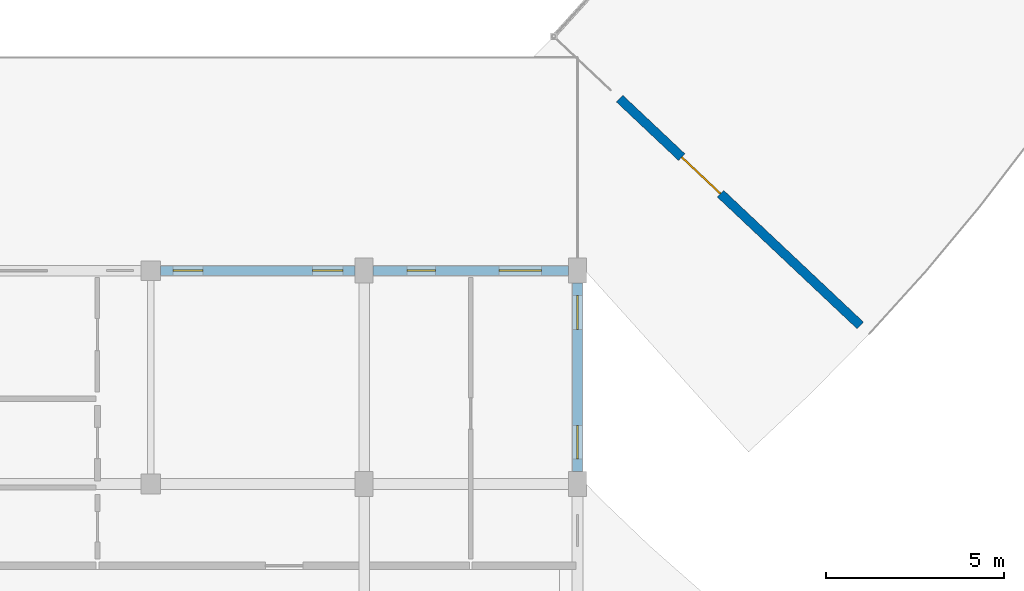
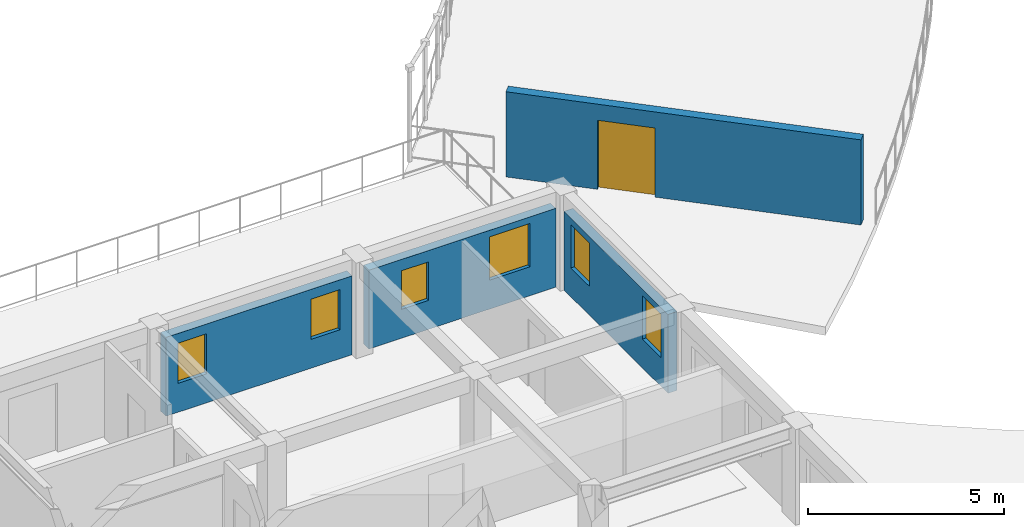
# One storey, part 29 of 58: 6 windows, 4 walls, 1 door, 7 openings.
"""IFC4 building model written with IfcOpenShell, lengths in metres."""

from ifc_helpers import new_model, si_unit, direction, frame, frame_2d, origin, place, context, subcontext, project, spatial, rectangle, extrude, material, layer, layer_set, type_object, element, fill, save


model = new_model("IFC4")

# Units and contexts
model_context = context("Model", 3, precision=1e-05, world=origin(), true_north=direction((0.0, 1.0)))
body_context = subcontext(model_context, "Body", "Model", "MODEL_VIEW")
ifc_project = project(units=[si_unit("LENGTHUNIT", "METRE"), si_unit("AREAUNIT", "SQUARE_METRE"), si_unit("VOLUMEUNIT", "CUBIC_METRE"), si_unit("PLANEANGLEUNIT", "RADIAN"), si_unit("MASSUNIT", "GRAM", prefix="KILO"), si_unit("POWERUNIT", "WATT"), si_unit("THERMODYNAMICTEMPERATUREUNIT", "KELVIN")], contexts=[model_context])

# Site, building, storey
site_placement = place(None, origin())
site = spatial("IfcSite", under=ifc_project, at=site_placement, CompositionType="ELEMENT")
building_placement = place(site_placement, origin())
building = spatial("IfcBuilding", under=site, at=building_placement, Name="Ruvembo Vaulted Housing Court", CompositionType="ELEMENT")
storey_placement = place(building_placement, frame((0.0, 0.0, 20.5)))
storey = spatial("IfcBuildingStorey", under=building, at=storey_placement, Name="L06", CompositionType="ELEMENT", Elevation=20.5)

# Wall, opening, door
ifc_material_1 = material(Name="Rendered Masonry 260", Category="masonry")
ifc_layer_1 = layer(ifc_material_1, 0.260009765625, Name="Rendered Masonry 260")
ifc_layer_set_1 = layer_set([ifc_layer_1], Name="Rendered Masonry 260")
wall_type_1 = type_object("IfcWallType", Name="WL-EXT-260", PredefinedType="STANDARD", material=ifc_layer_set_1)
wall_1_placement = place(storey_placement, frame((37.185302734375, 40.837890625, 0.0), z_axis=(0.0, 0.0, 1.0), x_axis=(0.727732778158, -0.685860775664, 0.0)))
wall_1 = element("IfcWall", 1, at=wall_1_placement, inside=storey, type_object=wall_type_1, Name="Scoop SC1 L06 Terrace Threshold Wall", PredefinedType="STANDARD", context=body_context, shape_type="SweptSolid", body=[
    extrude(rectangle(XDim=9.2998046875, YDim=0.260009765625, at=frame_2d((4.64990234375, 0.0))), origin(), (0.0, 0.0, 1.0), 2.64990234375),
])
opening_1_placement = place(wall_1_placement, frame((2.39990234375, 0.0, 0.0)))
opening_1 = element("IfcOpeningElement", 2, at=opening_1_placement, cuts=wall_1, Name="Opening TD1", PredefinedType="OPENING", context=body_context, shape_type="SweptSolid", body=[
    extrude(rectangle(XDim=1.5, YDim=2.14990234375, at=frame_2d((0.75, 1.074951171875))), frame((0.0, 0.139892578125, 0.0), z_axis=(0.0, -1.0, 0.0), x_axis=(1.0, 0.0, 0.0)), (0.0, 0.0, 1.0), 0.280029296875),
])
ifc_material_2 = material(Name="Thermally Broken Glazed Aluminium", Category="aluminium")
door_type = type_object("IfcDoorType", Name="DR-TER-1500x2150", OperationType="NOTDEFINED", PredefinedType="DOOR", material=ifc_material_2)
door_placement = place(opening_1_placement, origin())
door = element("IfcDoor", 3, at=door_placement, inside=storey, type_object=door_type, Name="Scoop SC1 L06 Roof Terrace Access Door", OperationType="SINGLE_SWING_RIGHT", OverallHeight=2.14990234375, OverallWidth=1.5, PredefinedType="DOOR", context=body_context, shape_type="SweptSolid", body=[
    extrude(rectangle(XDim=1.5, YDim=2.14990234375, at=frame_2d((0.75, 1.074951171875))), frame((0.0, 0.02490234375, 0.0), z_axis=(0.0, -1.0, 0.0), x_axis=(1.0, 0.0, 0.0)), (0.0, 0.0, 1.0), 0.050048828125),
])
fill(opening_1, door)

# Wall, openings, windows
ifc_material_3 = material(Name="Rendered Masonry 270", Category="masonry")
ifc_layer_2 = layer(ifc_material_3, 0.27001953125, Name="Rendered Masonry 270")
ifc_layer_set_2 = layer_set([ifc_layer_2], Name="Rendered Masonry 270")
wall_type_2 = type_object("IfcWallType", Name="WL-EXT-270", PredefinedType="STANDARD", material=ifc_layer_set_2)
wall_2_placement = place(storey_placement, frame((36.0, 30.35009765625, 0.0), z_axis=(0.0, 0.0, 1.0), x_axis=(0.0, 1.0, 0.0)))
wall_2 = element("IfcWall", 4, at=wall_2_placement, inside=storey, type_object=wall_type_2, Name="Block A L06 Exterior Wall EAST #5", PredefinedType="STANDARD", context=body_context, shape_type="SweptSolid", body=[
    extrude(rectangle(XDim=5.2998046875, YDim=0.27001953125, at=frame_2d((2.64990234375, 0.0))), origin(), (0.0, 0.0, 1.0), 2.451904296875),
])
opening_2_placement = place(wall_2_placement, frame((0.35009765625, 0.0, 0.89990234375)))
opening_2 = element("IfcOpeningElement", 5, at=opening_2_placement, cuts=wall_2, Name="Opening W07", PredefinedType="OPENING", context=body_context, shape_type="SweptSolid", body=[
    extrude(rectangle(XDim=0.949951171875, YDim=1.35009765625, at=frame_2d((0.47509765625, 0.675048828125))), frame((0.0, 0.14501953125, 0.0), z_axis=(0.0, -1.0, 0.0), x_axis=(1.0, 0.0, 0.0)), (0.0, 0.0, 1.0), 0.2900390625),
])
opening_3_placement = place(wall_2_placement, frame((4.0, 0.0, 0.89990234375)))
opening_3 = element("IfcOpeningElement", 6, at=opening_3_placement, cuts=wall_2, Name="Opening W07", PredefinedType="OPENING", context=body_context, shape_type="SweptSolid", body=[
    extrude(rectangle(XDim=0.949951171875, YDim=1.35009765625, at=frame_2d((0.47509765625, 0.675048828125))), frame((0.0, 0.14501953125, 0.0), z_axis=(0.0, -1.0, 0.0), x_axis=(1.0, 0.0, 0.0)), (0.0, 0.0, 1.0), 0.2900390625),
])
ifc_material_4 = material(Name="Double Solar-Control Glazing in Aluminium Frame", Category="aluminium")
window_type_1 = type_object("IfcWindowType", Name="WIN-0950x1350", PartitioningType="SINGLE_PANEL", PredefinedType="WINDOW", material=ifc_material_4)
window_1_placement = place(opening_2_placement, origin())
window_1 = element("IfcWindow", 7, at=window_1_placement, inside=storey, type_object=window_type_1, Name="Block A L06 Window #273", OverallHeight=1.35009765625, OverallWidth=0.949951171875, PartitioningType="SINGLE_PANEL", PredefinedType="WINDOW", context=body_context, shape_type="SweptSolid", body=[
    extrude(rectangle(XDim=0.949951171875, YDim=1.35009765625, at=frame_2d((0.47509765625, 0.675048828125))), frame((0.0, 0.030029296875, 0.0), z_axis=(0.0, -1.0, 0.0), x_axis=(1.0, 0.0, 0.0)), (0.0, 0.0, 1.0), 0.06005859375),
])
fill(opening_2, window_1)
window_2_placement = place(opening_3_placement, origin())
window_2 = element("IfcWindow", 8, at=window_2_placement, inside=storey, type_object=window_type_1, Name="Block A L06 Window #274", OverallHeight=1.35009765625, OverallWidth=0.949951171875, PartitioningType="SINGLE_PANEL", PredefinedType="WINDOW", context=body_context, shape_type="SweptSolid", body=[
    extrude(rectangle(XDim=0.949951171875, YDim=1.35009765625, at=frame_2d((0.47509765625, 0.675048828125))), frame((0.0, 0.030029296875, 0.0), z_axis=(0.0, -1.0, 0.0), x_axis=(1.0, 0.0, 0.0)), (0.0, 0.0, 1.0), 0.06005859375),
])
fill(opening_3, window_2)

wall_3_placement = place(storey_placement, frame((35.75, 36.0, 0.0), z_axis=(0.0, 0.0, 1.0), x_axis=(-1.0, 0.0, 0.0)))
wall_3 = element("IfcWall", 9, at=wall_3_placement, inside=storey, type_object=wall_type_2, Name="Block A L06 Exterior Wall COURTYARD #1", PredefinedType="STANDARD", context=body_context, shape_type="SweptSolid", body=[
    extrude(rectangle(XDim=5.5, YDim=0.27001953125, at=frame_2d((2.75, 0.0))), origin(), (0.0, 0.0, 1.0), 2.451904296875),
])
opening_4_placement = place(wall_3_placement, frame((0.7548828125, 0.0, 0.89990234375)))
opening_4 = element("IfcOpeningElement", 10, at=opening_4_placement, cuts=wall_3, Name="Opening W12", PredefinedType="OPENING", context=body_context, shape_type="SweptSolid", body=[
    extrude(rectangle(XDim=1.199951171875, YDim=1.35009765625, at=frame_2d((0.60009765625, 0.675048828125))), frame((0.0, 0.14501953125, 0.0), z_axis=(0.0, -1.0, 0.0), x_axis=(1.0, 0.0, 0.0)), (0.0, 0.0, 1.0), 0.2900390625),
])
opening_5_placement = place(wall_3_placement, frame((3.7451171875, 0.0, 0.89990234375)))
opening_5 = element("IfcOpeningElement", 11, at=opening_5_placement, cuts=wall_3, Name="Opening W02", PredefinedType="OPENING", context=body_context, shape_type="SweptSolid", body=[
    extrude(rectangle(XDim=0.800048828125, YDim=1.199951171875, at=frame_2d((0.39990234375, 0.60009765625))), frame((0.0, 0.14501953125, 0.0), z_axis=(0.0, -1.0, 0.0), x_axis=(1.0, 0.0, 0.0)), (0.0, 0.0, 1.0), 0.2900390625),
])
window_type_2 = type_object("IfcWindowType", Name="WIN-0800x1200", PartitioningType="SINGLE_PANEL", PredefinedType="WINDOW", material=ifc_material_4)
window_3_placement = place(opening_5_placement, origin())
window_3 = element("IfcWindow", 12, at=window_3_placement, inside=storey, type_object=window_type_2, Name="Block A L06 Window #276", OverallHeight=1.199951171875, OverallWidth=0.800048828125, PartitioningType="SINGLE_PANEL", PredefinedType="WINDOW", context=body_context, shape_type="SweptSolid", body=[
    extrude(rectangle(XDim=0.800048828125, YDim=1.199951171875, at=frame_2d((0.39990234375, 0.60009765625))), frame((0.0, 0.030029296875, 0.0), z_axis=(0.0, -1.0, 0.0), x_axis=(1.0, 0.0, 0.0)), (0.0, 0.0, 1.0), 0.06005859375),
])
fill(opening_5, window_3)
window_type_3 = type_object("IfcWindowType", Name="WIN-1200x1350", PartitioningType="SINGLE_PANEL", PredefinedType="WINDOW", material=ifc_material_4)
window_4_placement = place(opening_4_placement, origin())
window_4 = element("IfcWindow", 13, at=window_4_placement, inside=storey, type_object=window_type_3, Name="Block A L06 Window #275", OverallHeight=1.35009765625, OverallWidth=1.199951171875, PartitioningType="SINGLE_PANEL", PredefinedType="WINDOW", context=body_context, shape_type="SweptSolid", body=[
    extrude(rectangle(XDim=1.199951171875, YDim=1.35009765625, at=frame_2d((0.60009765625, 0.675048828125))), frame((0.0, 0.030029296875, 0.0), z_axis=(0.0, -1.0, 0.0), x_axis=(1.0, 0.0, 0.0)), (0.0, 0.0, 1.0), 0.06005859375),
])
fill(opening_4, window_4)

wall_4_placement = place(storey_placement, frame((29.75, 36.0, 0.0), z_axis=(0.0, 0.0, 1.0), x_axis=(-1.0, 0.0, 0.0)))
wall_4 = element("IfcWall", 14, at=wall_4_placement, inside=storey, type_object=wall_type_2, Name="Block A L06 Exterior Wall COURTYARD #2", PredefinedType="STANDARD", context=body_context, shape_type="SweptSolid", body=[
    extrude(rectangle(XDim=5.47509765625, YDim=0.27001953125, at=frame_2d((2.737548828125, 0.0))), origin(), (0.0, 0.0, 1.0), 2.451904296875),
])
opening_6_placement = place(wall_4_placement, frame((0.35009765625, 0.0, 0.89990234375)))
opening_6 = element("IfcOpeningElement", 15, at=opening_6_placement, cuts=wall_4, Name="Opening W03", PredefinedType="OPENING", context=body_context, shape_type="SweptSolid", body=[
    extrude(rectangle(XDim=0.85009765625, YDim=1.25, at=frame_2d((0.425048828125, 0.625))), frame((0.0, 0.14501953125, 0.0), z_axis=(0.0, -1.0, 0.0), x_axis=(1.0, 0.0, 0.0)), (0.0, 0.0, 1.0), 0.2900390625),
])
opening_7_placement = place(wall_4_placement, frame((4.27490234375, 0.0, 0.89990234375)))
opening_7 = element("IfcOpeningElement", 16, at=opening_7_placement, cuts=wall_4, Name="Opening W03", PredefinedType="OPENING", context=body_context, shape_type="SweptSolid", body=[
    extrude(rectangle(XDim=0.85009765625, YDim=1.25, at=frame_2d((0.425048828125, 0.625))), frame((0.0, 0.14501953125, 0.0), z_axis=(0.0, -1.0, 0.0), x_axis=(1.0, 0.0, 0.0)), (0.0, 0.0, 1.0), 0.2900390625),
])
window_type_4 = type_object("IfcWindowType", Name="WIN-0850x1250", PartitioningType="SINGLE_PANEL", PredefinedType="WINDOW", material=ifc_material_4)
window_5_placement = place(opening_6_placement, origin())
window_5 = element("IfcWindow", 17, at=window_5_placement, inside=storey, type_object=window_type_4, Name="Block A L06 Window #277", OverallHeight=1.25, OverallWidth=0.85009765625, PartitioningType="SINGLE_PANEL", PredefinedType="WINDOW", context=body_context, shape_type="SweptSolid", body=[
    extrude(rectangle(XDim=0.85009765625, YDim=1.25, at=frame_2d((0.425048828125, 0.625))), frame((0.0, 0.030029296875, 0.0), z_axis=(0.0, -1.0, 0.0), x_axis=(1.0, 0.0, 0.0)), (0.0, 0.0, 1.0), 0.06005859375),
])
fill(opening_6, window_5)
window_6_placement = place(opening_7_placement, origin())
window_6 = element("IfcWindow", 18, at=window_6_placement, inside=storey, type_object=window_type_4, Name="Block A L06 Window #278", OverallHeight=1.25, OverallWidth=0.85009765625, PartitioningType="SINGLE_PANEL", PredefinedType="WINDOW", context=body_context, shape_type="SweptSolid", body=[
    extrude(rectangle(XDim=0.85009765625, YDim=1.25, at=frame_2d((0.425048828125, 0.625))), frame((0.0, 0.030029296875, 0.0), z_axis=(0.0, -1.0, 0.0), x_axis=(1.0, 0.0, 0.0)), (0.0, 0.0, 1.0), 0.06005859375),
])
fill(opening_7, window_6)

save(model, "model.ifc")
